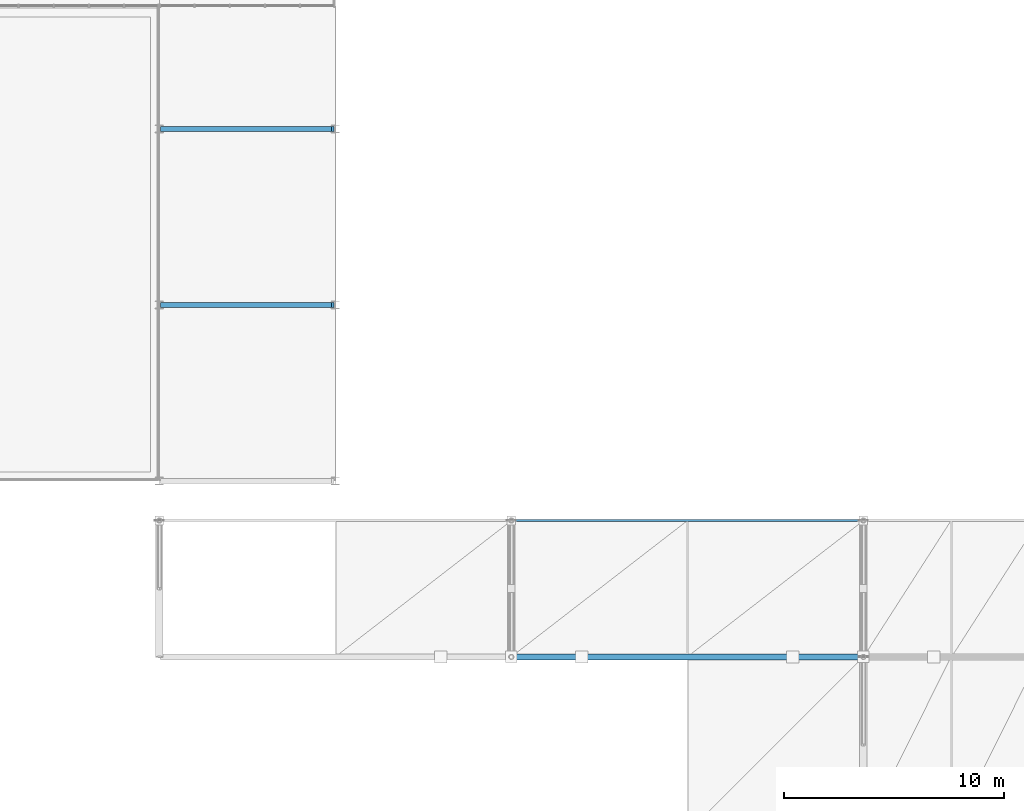
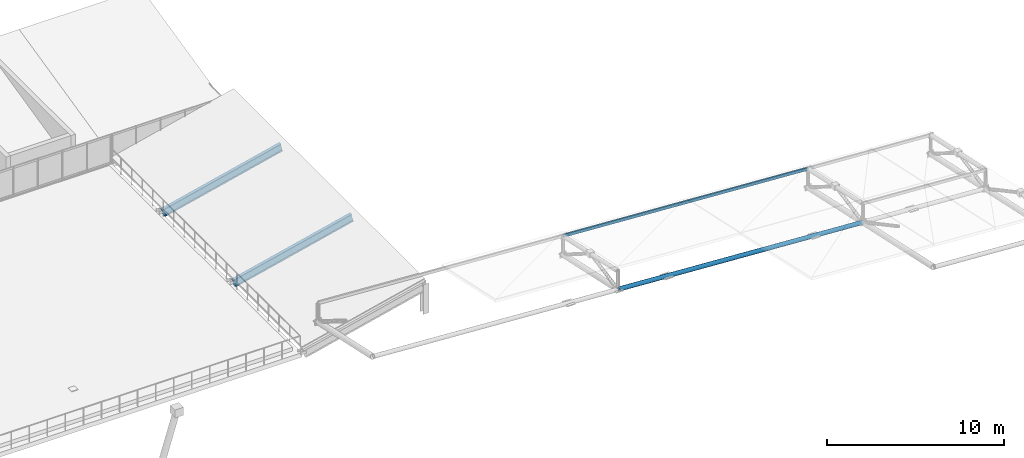
# One storey, part 42 of 83: 3 beams, 1 member.
"""IFC4 building model written with IfcOpenShell, lengths in metres."""

from ifc_helpers import new_model, si_unit, direction, frame, origin, origin_2d, place, context, subcontext, project, spatial, hollow_rectangle, hollow_circle, i_section, extrude, material, material_profile, profile_set, type_object, element, save


model = new_model("IFC4")

# Units and contexts
model_context = context("Model", 3, precision=1e-05, world=origin(), true_north=direction((0.0, 1.0)))
body_context = subcontext(model_context, "Body", "Model", "MODEL_VIEW")
ifc_project = project(units=[si_unit("LENGTHUNIT", "METRE"), si_unit("AREAUNIT", "SQUARE_METRE"), si_unit("VOLUMEUNIT", "CUBIC_METRE"), si_unit("PLANEANGLEUNIT", "RADIAN"), si_unit("MASSUNIT", "GRAM", prefix="KILO")], contexts=[model_context])

# Site, building, storey
site_placement = place(None, origin())
site = spatial("IfcSite", under=ifc_project, at=site_placement, CompositionType="ELEMENT")
building_placement = place(site_placement, origin())
building = spatial("IfcBuilding", under=site, at=building_placement, Name="Drelvath Fold Interchange", CompositionType="ELEMENT")
storey_placement = place(building_placement, frame((0.0, 0.0, 11.199951171875)))
storey = spatial("IfcBuildingStorey", under=building, at=storey_placement, Name="L02", CompositionType="ELEMENT", Elevation=11.199951171875)

# Beams
ifc_material_1 = material(Name="Steel ASTM A992 Grade 50", Category="steel")
ifc_material_profile_1 = material_profile(ifc_material_1, i_section(OverallWidth=0.2099609375, OverallDepth=0.537109375, WebThickness=0.010986328125, FlangeThickness=0.017333984375, at=origin_2d()), Name="W21X68")
ifc_profile_set_1 = profile_set([ifc_material_profile_1], Name="Steel ASTM A992 Grade 50")
beam_type_1 = type_object("IfcBeamType", Name="BM-W21X68", PredefinedType="SPANDREL", material=ifc_profile_set_1)
for number, where, z_axis, x_axis, name in (
    (1, (134.1201171875, 83.0, -0.099853515625), (0.972374526355, 0.0, 0.233426177828), (0.0, 1.0, 0.0), "Cycle hub east sawtooth rafter"),
    (2, (134.1201171875, 91.0, -0.099853515625), (0.972374526355, 0.0, 0.233426177828), (0.0, 1.0, 0.0), "Cycle hub east sawtooth rafter"),
):
    element("IfcBeam", number, at=place(storey_placement, frame(where, z_axis=z_axis, x_axis=x_axis)), inside=storey, type_object=beam_type_1, Name=name, PredefinedType="SPANDREL", context=body_context, shape_type="SweptSolid", body=[
        extrude(i_section(OverallWidth=0.2099609375, OverallDepth=0.537109375, WebThickness=0.010986328125, FlangeThickness=0.017333984375, at=origin_2d()), origin(), (0.0, 0.0, 1.0), 7.980224609375),
    ])

# Member
ifc_material_2 = material(Name="Steel ASTM A500 Grade C", Category="steel")
ifc_material_profile_2 = material_profile(ifc_material_2, hollow_rectangle(XDim=0.10205078125, YDim=0.202880859375, WallThickness=0.00732421875, at=origin_2d()), Name="HSS8X4X5/16")
ifc_profile_set_2 = profile_set([ifc_material_profile_2], Name="Steel ASTM A500 Grade C")
member_type = type_object("IfcMemberType", Name="PR-HSS203", PredefinedType="PURLIN", material=ifc_profile_set_2)
member_placement = place(storey_placement, frame((150.0, 73.199951171875, 3.56298828125), z_axis=(0.998197699277, 0.0, -0.060011275256), x_axis=(0.0, 1.0, 0.0)))
element("IfcMember", 3, at=member_placement, inside=storey, type_object=member_type, Name="L02 Space frame canopy purlin PR-HSS203", PredefinedType="PURLIN", context=body_context, shape_type="SweptSolid", body=[
    extrude(hollow_rectangle(XDim=0.10205078125, YDim=0.202880859375, WallThickness=0.00732421875, at=origin_2d()), origin(), (0.0, 0.0, 1.0), 16.02880859375),
])

# Beam
ifc_material_profile_3 = material_profile(ifc_material_2, hollow_circle(Radius=0.136474609375, WallThickness=0.01171875, at=origin_2d()), Name="HSS10.750X0.500")
ifc_profile_set_3 = profile_set([ifc_material_profile_3], Name="Steel ASTM A500 Grade C")
beam_type_2 = type_object("IfcBeamType", Name="SF-TIE273", PredefinedType="BEAM", material=ifc_profile_set_3)
beam_placement = place(storey_placement, frame((150.050048828125, 67.0, 3.612060546875), z_axis=(0.998174997398, 0.0, -0.060387702143), x_axis=(0.0, 1.0, 0.0)))
element("IfcBeam", 4, at=beam_placement, inside=storey, type_object=beam_type_2, Name="Space frame roof truss longitudinal tie EAST", PredefinedType="BEAM", context=body_context, shape_type="SweptSolid", body=[
    extrude(hollow_circle(Radius=0.136474609375, WallThickness=0.01171875, at=origin_2d()), origin(), (0.0, 0.0, 1.0), 15.928955078125),
])

save(model, "model.ifc")
